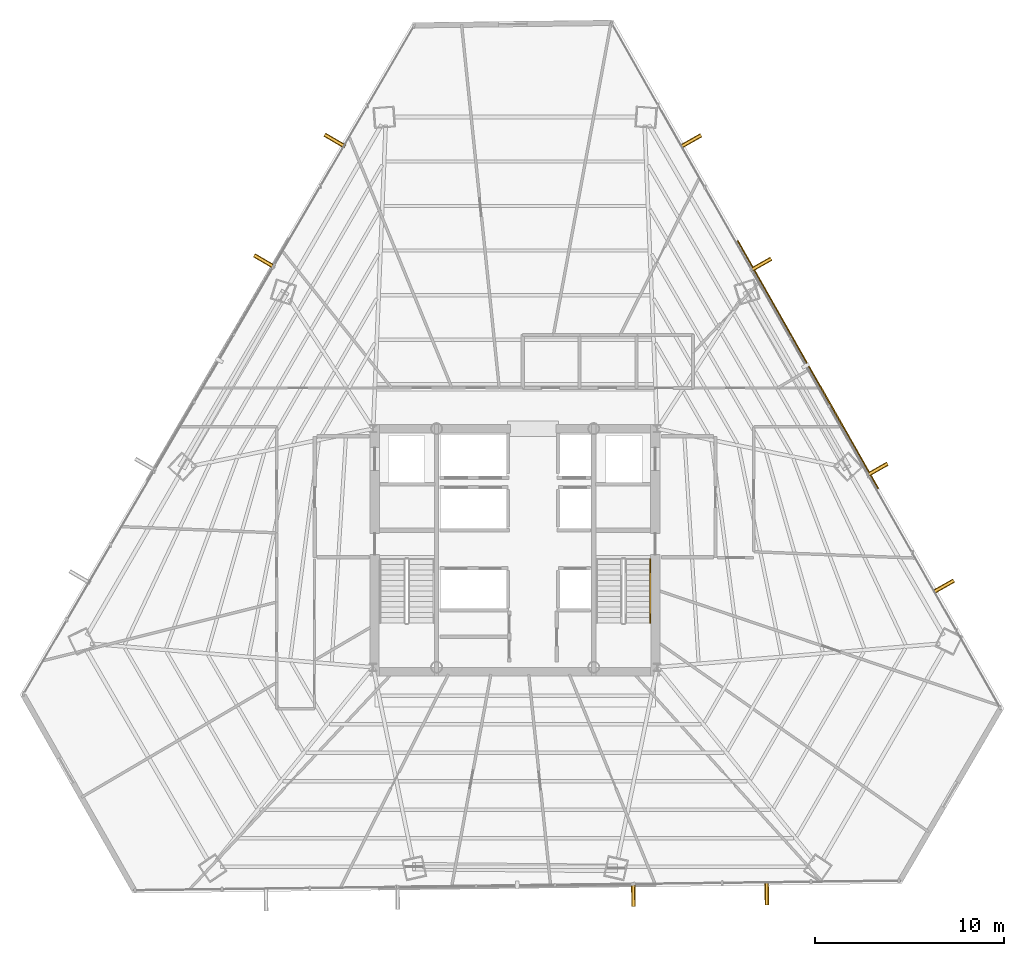
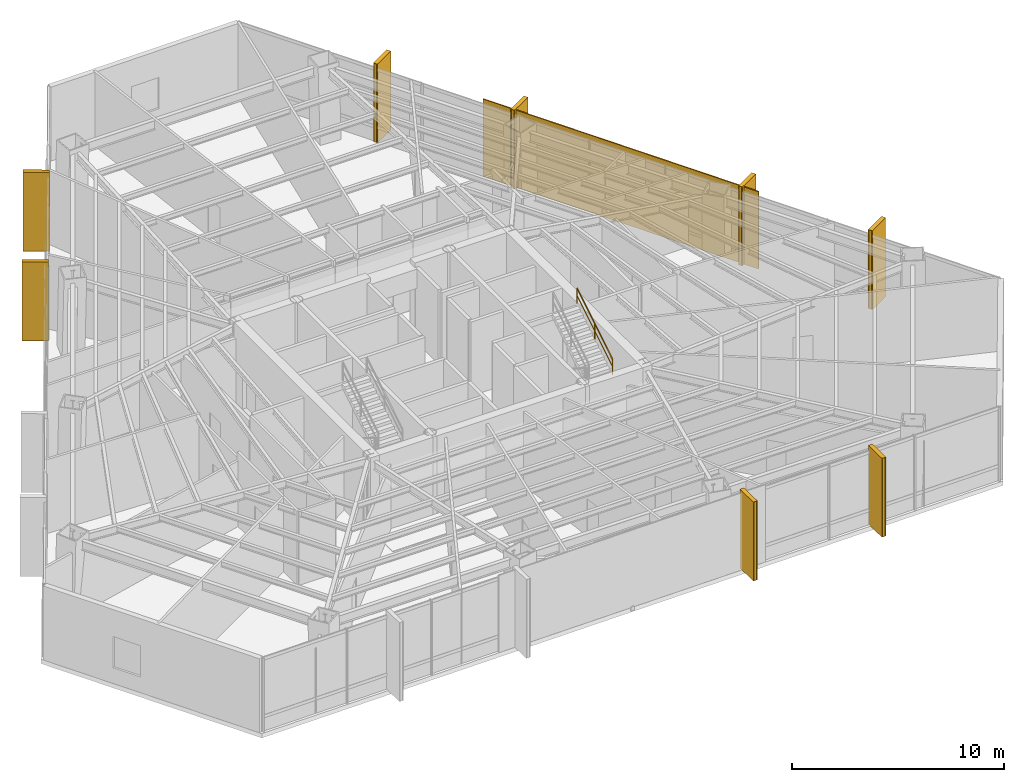
# One storey, part 37 of 37: 9 shading devices, 8 coverings, 1 railing.
"""IFC4 building model written with IfcOpenShell, lengths in metres."""

from ifc_helpers import new_model, si_unit, direction, frame, origin, origin_2d, place, context, subcontext, project, spatial, rectangle, extrude, source, transform, mapped, material, layer, layer_set, type_object, type_shapes, element, save


model = new_model("IFC4")

# Units and contexts
model_context = context("Model", 3, precision=1e-05, world=origin(), true_north=direction((0.0, 1.0)))
body_context = subcontext(model_context, "Body", "Model", "MODEL_VIEW")
ifc_project = project(units=[si_unit("LENGTHUNIT", "METRE"), si_unit("AREAUNIT", "SQUARE_METRE"), si_unit("VOLUMEUNIT", "CUBIC_METRE"), si_unit("PLANEANGLEUNIT", "RADIAN"), si_unit("MASSUNIT", "GRAM", prefix="KILO")], contexts=[model_context])

# Site, building, storey
site_placement = place(None, origin())
site = spatial("IfcSite", under=ifc_project, at=site_placement, CompositionType="ELEMENT")
building_placement = place(site_placement, origin())
building = spatial("IfcBuilding", under=site, at=building_placement, Name="Caelisora Broadcast Tower", CompositionType="ELEMENT")
storey_placement = place(building_placement, frame((0.0, 0.0, 127.300048828125)))
storey = spatial("IfcBuildingStorey", under=building, at=storey_placement, Name="L33", CompositionType="ELEMENT", Elevation=127.300048828125)

# Railing
ifc_material_1 = material(Name="Stainless Steel Grade 316 Tubular Handrail", Category="steel")
ifc_layer_1 = layer(ifc_material_1, 0.048095703125, Name="Stainless Steel Grade 316 Tubular Handrail")
ifc_layer_set_1 = layer_set([ifc_layer_1], Name="Stainless Steel Grade 316 Tubular Handrail")
railing_type = type_object("IfcRailingType", Name="HR-1", PredefinedType="HANDRAIL", material=ifc_layer_set_1)
railing_placement = place(storey_placement, frame((45.1298828125, 19.739990234375, 2.423095703125)))
element("IfcRailing", 1, at=railing_placement, inside=storey, type_object=railing_type, Name="L33 ST-2 stair handrail 2", PredefinedType="HANDRAIL", context=body_context, shape_type="SweptSolid", body=[
    extrude(rectangle(XDim=0.048095703125, YDim=0.048095703125, at=origin_2d()), frame((0.0, 0.0, 0.8759765625), z_axis=(0.0, 0.850623216509, 0.525775754039), x_axis=(-1.0, 0.0, 0.0)), (0.0, 0.0, 1.0), 3.9501953125),
    extrude(rectangle(XDim=0.03125, YDim=0.03125, at=origin_2d()), frame((0.0, 0.0, 0.449951171875), z_axis=(0.0, 0.850623216509, 0.525775754039), x_axis=(-1.0, 0.0, 0.0)), (0.0, 0.0, 1.0), 3.9501953125),
    extrude(rectangle(XDim=0.0419921875, YDim=0.0419921875, at=origin_2d()), origin(), (0.0, 0.0, 1.0), 0.851806640625),
    extrude(rectangle(XDim=0.0419921875, YDim=0.0419921875, at=origin_2d()), frame((0.0, 1.68017578125, 1.03857421875)), (0.0, 0.0, 1.0), 0.851806640625),
    extrude(rectangle(XDim=0.0419921875, YDim=0.0419921875, at=origin_2d()), frame((0.0, 3.360107421875, 2.076904296875)), (0.0, 0.0, 1.0), 0.851806640625),
])

# Coverings
ifc_material_2 = material(Name="Kiln-Fired Terracotta Spandrel Rainscreen Cladding", Category="ceramic")
ifc_layer_2 = layer(ifc_material_2, 0.044921875, Name="Kiln-Fired Terracotta Spandrel Rainscreen Cladding")
ifc_layer_set_2 = layer_set([ifc_layer_2], Name="Kiln-Fired Terracotta Spandrel Rainscreen Cladding")
covering_type = type_object("IfcCoveringType", Name="CL-1", PredefinedType="CLADDING", material=ifc_layer_set_2)
shared_shape_1 = source(origin(), body_context, "Body", "SweptSolid", [
    extrude(rectangle(XDim=0.219970703125, YDim=1.25, at=origin_2d()), origin(), (0.0, 0.0, 1.0), 4.5400390625),
])
type_shapes(covering_type, [shared_shape_1])
for number, where, z_axis, x_axis, name in (
    (2, (47.27783203125, 45.19140625, -0.02001953125), (0.0, 0.0, 1.0), (0.493638325511, -0.869667294767, 0.0), "L33 vertical solar fin cladding #1-1"),
    (3, (50.979736328125, 38.670654296875, -0.02001953125), (0.0, 0.0, 1.0), (0.493638325511, -0.869667294767, 0.0), "L33 vertical solar fin cladding #1-2"),
    (4, (57.1259765625, 27.84375, -0.02001953125), (0.0, 0.0, 1.0), (0.493638325511, -0.869667294767, 0.0), "L33 vertical solar fin cladding #1-3"),
    (5, (60.62939453125, 21.672119140625, -0.02001953125), (0.0, 0.0, 1.0), (0.493638325511, -0.869667294767, 0.0), "L33 vertical solar fin cladding #1-4"),
    (6, (51.287841796875, 5.4736328125, -0.02001953125), (0.0, 0.0, 1.0), (-0.999921044204, -0.012566039883, 0.0), "L33 vertical solar fin cladding #2-1"),
    (7, (44.242431640625, 5.385498046875, -0.02001953125), (0.0, 0.0, 1.0), (-0.999921044204, -0.012566039883, 0.0), "L33 vertical solar fin cladding #2-2"),
    (8, (24.75244140625, 38.8466796875, -0.02001953125), (0.0, 0.0, 1.0), (0.504527623815, 0.863395550607, 0.0), "L33 vertical solar fin cladding #3-3"),
    (9, (28.474853515625, 45.217041015625, -0.02001953125), (0.0, 0.0, 1.0), (0.504527623815, 0.863395550607, 0.0), "L33 vertical solar fin cladding #3-4"),
):
    element("IfcCovering", number, at=place(storey_placement, frame(where, z_axis=z_axis, x_axis=x_axis)), inside=storey, type_object=covering_type, Name=name, PredefinedType="CLADDING", context=body_context, shape_type="MappedRepresentation", body=[
        mapped(shared_shape_1, transform((0.0, 0.0, 0.0), scale=1.0)),
    ])

# Shading devices
ifc_material_3 = material(Name="Extruded Terracotta Flaring Colonnade Fin", Category="ceramic")
ifc_layer_3 = layer(ifc_material_3, 0.139892578125, Name="Extruded Terracotta Flaring Colonnade Fin")
ifc_layer_set_3 = layer_set([ifc_layer_3], Name="Extruded Terracotta Flaring Colonnade Fin")
shading_device_type_1 = type_object("IfcShadingDeviceType", Name="FN-1", PredefinedType="USERDEFINED", material=ifc_layer_set_3)
shared_shape_2 = source(origin(), body_context, "Body", "SweptSolid", [
    extrude(rectangle(XDim=0.139892578125, YDim=1.25, at=origin_2d()), origin(), (0.0, 0.0, 1.0), 4.52001953125),
])
type_shapes(shading_device_type_1, [shared_shape_2])
for number, where, z_axis, x_axis, name in (
    (10, (47.27783203125, 45.19140625, -0.010009765625), (0.0, 0.0, 1.0), (0.493638325511, -0.869667294767, 0.0), "L33 vertical terracotta fin #1-1"),
    (11, (50.979736328125, 38.670654296875, -0.010009765625), (0.0, 0.0, 1.0), (0.493638325511, -0.869667294767, 0.0), "L33 vertical terracotta fin #1-2"),
    (12, (57.1259765625, 27.84375, -0.010009765625), (0.0, 0.0, 1.0), (0.493638325511, -0.869667294767, 0.0), "L33 vertical terracotta fin #1-3"),
    (13, (60.62939453125, 21.672119140625, -0.010009765625), (0.0, 0.0, 1.0), (0.493638325511, -0.869667294767, 0.0), "L33 vertical terracotta fin #1-4"),
    (14, (51.287841796875, 5.4736328125, -0.010009765625), (0.0, 0.0, 1.0), (-0.999921044204, -0.012566039883, 0.0), "L33 vertical terracotta fin #2-1"),
    (15, (44.242431640625, 5.385498046875, -0.010009765625), (0.0, 0.0, 1.0), (-0.999921044204, -0.012566039883, 0.0), "L33 vertical terracotta fin #2-2"),
    (16, (24.75244140625, 38.8466796875, -0.010009765625), (0.0, 0.0, 1.0), (0.504527623815, 0.863395550607, 0.0), "L33 vertical terracotta fin #3-3"),
    (17, (28.474853515625, 45.217041015625, -0.010009765625), (0.0, 0.0, 1.0), (0.504527623815, 0.863395550607, 0.0), "L33 vertical terracotta fin #3-4"),
):
    element("IfcShadingDevice", number, at=place(storey_placement, frame(where, z_axis=z_axis, x_axis=x_axis)), inside=storey, type_object=shading_device_type_1, Name=name, ObjectType="FIN", PredefinedType="USERDEFINED", context=body_context, shape_type="MappedRepresentation", body=[
        mapped(shared_shape_2, transform((0.0, 0.0, 0.0), scale=1.0)),
    ])
ifc_material_4 = material(Name="Perforated Glazed Terracotta Baguette Solar Screen", Category="ceramic")
ifc_layer_4 = layer(ifc_material_4, 0.06494140625, Name="Perforated Glazed Terracotta Baguette Solar Screen")
ifc_layer_set_4 = layer_set([ifc_layer_4], Name="Perforated Glazed Terracotta Baguette Solar Screen")
shading_device_type_2 = type_object("IfcShadingDeviceType", Name="SS-1", PredefinedType="USERDEFINED", material=ifc_layer_set_4)
shared_shape_3 = source(origin(), body_context, "Body", "SweptSolid", [
    extrude(rectangle(XDim=15.052978515625, YDim=0.06494140625, at=origin_2d()), origin(), (0.0, 0.0, 1.0), 4.43994140625),
])
type_shapes(shading_device_type_2, [shared_shape_3])
shading_device_placement = place(storey_placement, frame((53.462646484375, 33.38525390625, 0.0), z_axis=(0.0, 0.0, 1.0), x_axis=(-0.493638325511, 0.869667294767, 0.0)))
element("IfcShadingDevice", 18, at=shading_device_placement, inside=storey, type_object=shading_device_type_2, Name="L33 perforated terracotta solar screen #3", ObjectType="SOLAR SCREEN", PredefinedType="USERDEFINED", context=body_context, shape_type="MappedRepresentation", body=[
    mapped(shared_shape_3, transform((0.0, 0.0, 0.0), scale=1.0)),
])

save(model, "model.ifc")
